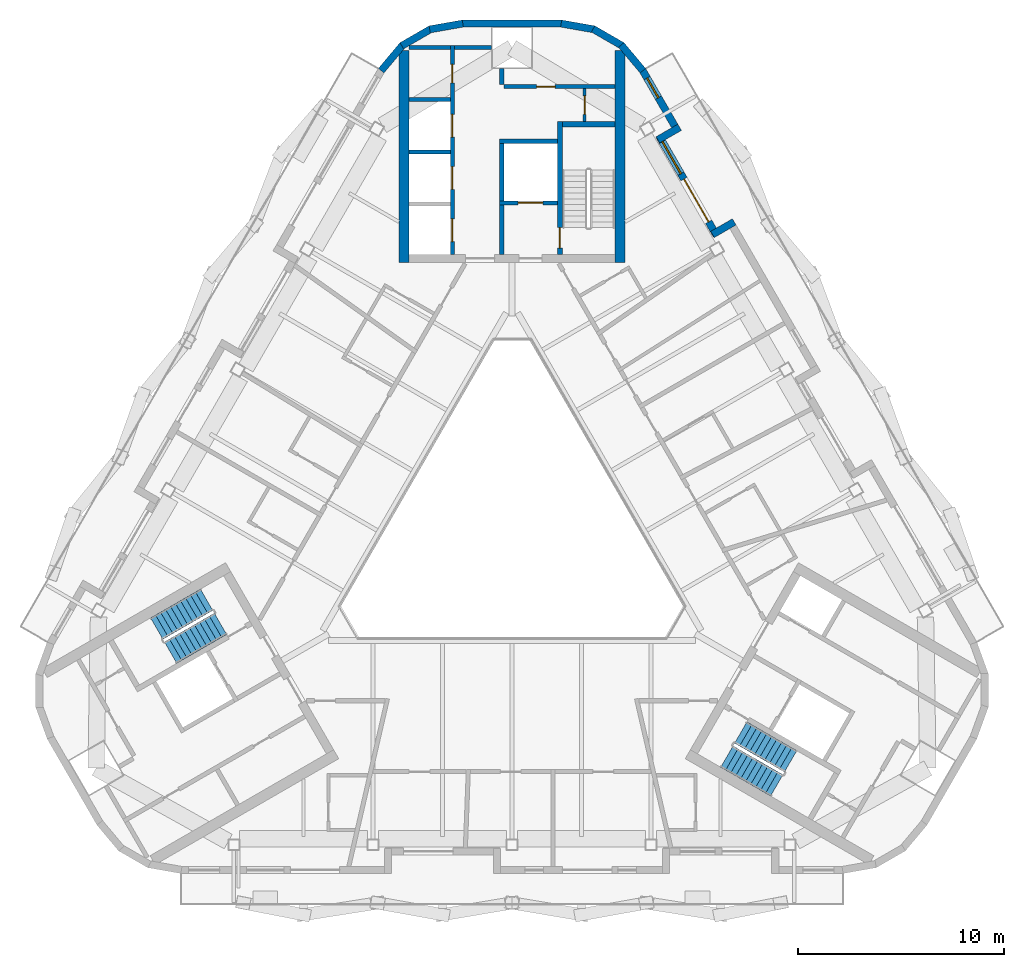
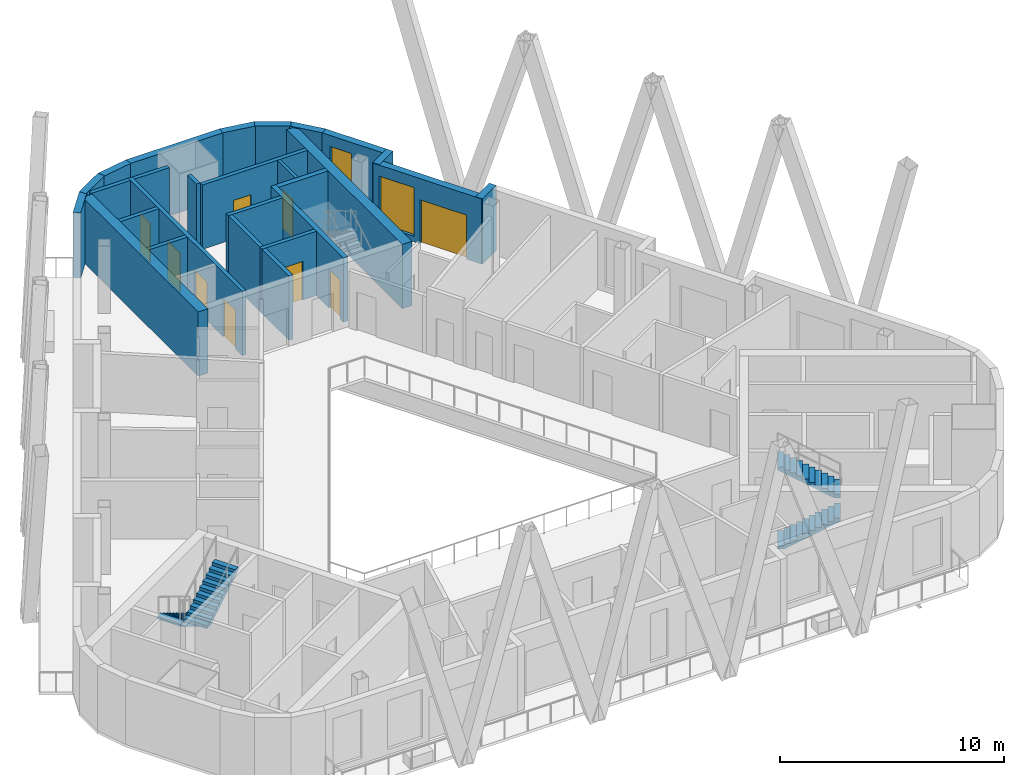
# One storey, part 7 of 12: 27 walls, 9 doors, 4 stair flights, 2 windows, 11 openings, 2 elements without a shape of their own.
"""IFC4 building model written with IfcOpenShell, lengths in metres."""

from ifc_helpers import new_model, si_unit, direction, frame, frame_2d, origin, place, context, subcontext, project, spatial, polyline, rectangle, outline, extrude, material, layer, layer_set, type_object, element, fill, aggregate, save


model = new_model("IFC4")

# Units and contexts
model_context = context("Model", 3, precision=1e-05, world=origin(), true_north=direction((0.0, 1.0)))
body_context = subcontext(model_context, "Body", "Model", "MODEL_VIEW")
ifc_project = project(units=[si_unit("LENGTHUNIT", "METRE"), si_unit("AREAUNIT", "SQUARE_METRE"), si_unit("VOLUMEUNIT", "CUBIC_METRE"), si_unit("PLANEANGLEUNIT", "RADIAN"), si_unit("MASSUNIT", "GRAM", prefix="KILO")], contexts=[model_context])

# Site, building, storey
site_placement = place(None, origin())
site = spatial("IfcSite", under=ifc_project, at=site_placement, CompositionType="ELEMENT")
building_placement = place(site_placement, origin())
building = spatial("IfcBuilding", under=site, at=building_placement, Name="Apuvela Tower Hotel", CompositionType="ELEMENT")
storey_placement = place(building_placement, frame((0.0, 0.0, 302.199951171875)))
storey = spatial("IfcBuildingStorey", under=building, at=storey_placement, Name="L75", CompositionType="ELEMENT", Elevation=302.199951171875)

# Walls
ifc_material_1 = material(Name="Concrete C50/60", Category="concrete")
ifc_layer_1 = layer(ifc_material_1, 0.5)
ifc_layer_set_1 = layer_set([ifc_layer_1], Name="COR-WALL-CORE-500")
wall_type_1 = type_object("IfcWallType", Name="COR-WALL-CORE-500", PredefinedType="SHEAR", material=ifc_layer_set_1)
for number, where, z_axis, x_axis, name in (
    (1, (5.25, 12.89990234375, 0.0), (0.0, 0.0, 1.0), (0.0, 1.0, 0.0), "Core wall N"),
    (2, (-5.25, 12.89990234375, 0.0), (0.0, 0.0, 1.0), (0.0, 1.0, 0.0), "Core wall N"),
):
    element("IfcWall", number, at=place(storey_placement, frame(where, z_axis=z_axis, x_axis=x_axis)), inside=storey, type_object=wall_type_1, Name=name, PredefinedType="SHEAR", context=body_context, shape_type="SweptSolid", body=[
        extrude(rectangle(XDim=10.298583984375, YDim=0.5, at=frame_2d((5.1494140625, 0.0))), origin(), (0.0, 0.0, 1.0), 3.5),
    ])

# Wall, opening, door
ifc_material_2 = material(Name="Blockwork 150 mm plastered", Category="masonry")
ifc_layer_2 = layer(ifc_material_2, 0.14990234375)
ifc_layer_set_2 = layer_set([ifc_layer_2], Name="COR-WALL-PART-150")
wall_type_2 = type_object("IfcWallType", Name="COR-WALL-PART-150", PredefinedType="PARTITIONING", material=ifc_layer_set_2)
wall_1_placement = place(storey_placement, frame((3.52490234375, 19.75, 0.0), z_axis=(0.0, 0.0, 1.0), x_axis=(0.0, 1.0, 0.0)))
wall_1 = element("IfcWall", 3, at=wall_1_placement, inside=storey, type_object=wall_type_2, Name="Partition N", PredefinedType="PARTITIONING", context=body_context, shape_type="SweptSolid", body=[
    extrude(rectangle(XDim=1.60009765625, YDim=0.14990234375, at=frame_2d((0.800048828125, 0.0))), origin(), (0.0, 0.0, 1.0), 3.5),
])
opening_1_placement = place(wall_1_placement, frame((0.35009765625, 0.0, 0.0)))
opening_1 = element("IfcOpeningElement", 4, at=opening_1_placement, cuts=wall_1, Name="Opening N-RD", PredefinedType="OPENING", context=body_context, shape_type="SweptSolid", body=[
    extrude(rectangle(XDim=0.89990234375, YDim=2.10009765625, at=frame_2d((0.449951171875, 1.050048828125))), frame((0.0, 0.0849609375, 0.0), z_axis=(0.0, -1.0, 0.0), x_axis=(1.0, 0.0, 0.0)), (0.0, 0.0, 1.0), 0.169921875),
])
ifc_material_3 = material(Name="Steel access door, powder coated", Category="steel")
door_type_1 = type_object("IfcDoorType", Name="COR-RD-900", OperationType="NOTDEFINED", PredefinedType="DOOR", material=ifc_material_3)
door_1_placement = place(opening_1_placement, frame((0.89990234375, 0.0, 0.0), z_axis=(0.0, 0.0, 1.0), x_axis=(-1.0, 0.0, 0.0)))
door_1 = element("IfcDoor", 5, at=door_1_placement, inside=storey, type_object=door_type_1, Name="Riser door N-RD", OperationType="SINGLE_SWING_RIGHT", OverallHeight=2.10009765625, OverallWidth=0.89990234375, PredefinedType="DOOR", context=body_context, shape_type="SweptSolid", body=[
    extrude(rectangle(XDim=0.89990234375, YDim=2.10009765625, at=frame_2d((0.449951171875, 1.050048828125))), frame((0.0, 0.02490234375, 0.0), z_axis=(0.0, -1.0, 0.0), x_axis=(1.0, 0.0, 0.0)), (0.0, 0.0, 1.0), 0.050048828125),
])
fill(opening_1, door_1)

ifc_material_4 = material(Name="Blockwork 200 mm plastered", Category="masonry")
ifc_layer_3 = layer(ifc_material_4, 0.199951171875)
ifc_layer_set_3 = layer_set([ifc_layer_3], Name="COR-WALL-PART-200")
wall_type_3 = type_object("IfcWallType", Name="COR-WALL-PART-200", PredefinedType="PARTITIONING", material=ifc_layer_set_3)
wall_2_placement = place(storey_placement, frame((5.0, 21.449951171875, 0.0), z_axis=(0.0, 0.0, 1.0), x_axis=(-1.0, 0.0, 0.0)))
wall_2 = element("IfcWall", 6, at=wall_2_placement, inside=storey, type_object=wall_type_3, Name="Partition N", PredefinedType="PARTITIONING", context=body_context, shape_type="SweptSolid", body=[
    extrude(rectangle(XDim=5.39990234375, YDim=0.199951171875, at=frame_2d((2.699951171875, 0.0))), origin(), (0.0, 0.0, 1.0), 3.5),
])
opening_2_placement = place(wall_2_placement, frame((2.89990234375, 0.0, 0.0)))
opening_2 = element("IfcOpeningElement", 7, at=opening_2_placement, cuts=wall_2, Name="Opening N-RS1", PredefinedType="OPENING", context=body_context, shape_type="SweptSolid", body=[
    extrude(rectangle(XDim=0.89990234375, YDim=2.10009765625, at=frame_2d((0.449951171875, 1.050048828125))), frame((0.0, 0.10986328125, 0.0), z_axis=(0.0, -1.0, 0.0), x_axis=(1.0, 0.0, 0.0)), (0.0, 0.0, 1.0), 0.219970703125),
])
ifc_material_5 = material(Name="Steel fire door, powder coated", Category="steel")
door_type_2 = type_object("IfcDoorType", Name="COR-DR-900", OperationType="NOTDEFINED", PredefinedType="DOOR", material=ifc_material_5)
door_2_placement = place(opening_2_placement, frame((0.89990234375, 0.0, 0.0), z_axis=(0.0, 0.0, 1.0), x_axis=(-1.0, 0.0, 0.0)))
door_2 = element("IfcDoor", 8, at=door_2_placement, inside=storey, type_object=door_type_2, Name="Store door N-RS1", OperationType="SINGLE_SWING_LEFT", OverallHeight=2.10009765625, OverallWidth=0.89990234375, PredefinedType="DOOR", context=body_context, shape_type="SweptSolid", body=[
    extrude(rectangle(XDim=0.89990234375, YDim=2.10009765625, at=frame_2d((0.449951171875, 1.050048828125))), frame((0.0, 0.02490234375, 0.0), z_axis=(0.0, -1.0, 0.0), x_axis=(1.0, 0.0, 0.0)), (0.0, 0.0, 1.0), 0.050048828125),
])
fill(opening_2, door_2)

# Wall
ifc_layer_4 = layer(ifc_material_1, 0.199951171875)
ifc_layer_set_4 = layer_set([ifc_layer_4], Name="COR-WALL-SHAFT-200")
wall_type_4 = type_object("IfcWallType", Name="COR-WALL-SHAFT-200", PredefinedType="SHEAR", material=ifc_layer_set_4)
wall_3_placement = place(storey_placement, frame((2.199951171875, 18.800048828125, 0.0), z_axis=(0.0, 0.0, 1.0), x_axis=(-1.0, 0.0, 0.0)))
element("IfcWall", 9, at=wall_3_placement, inside=storey, type_object=wall_type_4, Name="Shaft wall N", PredefinedType="SHEAR", context=body_context, shape_type="SweptSolid", body=[
    extrude(rectangle(XDim=2.800048828125, YDim=0.199951171875, at=frame_2d((1.39990234375, 0.0))), origin(), (0.0, 0.0, 1.0), 3.5),
])

# Wall, opening, door
wall_4_placement = place(storey_placement, frame((2.199951171875, 15.800048828125, 0.0), z_axis=(0.0, 0.0, 1.0), x_axis=(-1.0, 0.0, 0.0)))
wall_4 = element("IfcWall", 10, at=wall_4_placement, inside=storey, type_object=wall_type_4, Name="Shaft wall N", PredefinedType="SHEAR", context=body_context, shape_type="SweptSolid", body=[
    extrude(rectangle(XDim=2.800048828125, YDim=0.199951171875, at=frame_2d((1.39990234375, 0.0))), origin(), (0.0, 0.0, 1.0), 3.5),
])
opening_3_placement = place(wall_4_placement, frame((0.699951171875, 0.0, 0.0)))
opening_3 = element("IfcOpeningElement", 11, at=opening_3_placement, cuts=wall_4, Name="Opening N-LD-FS1", PredefinedType="OPENING", context=body_context, shape_type="SweptSolid", body=[
    extrude(rectangle(XDim=1.199951171875, YDim=2.10009765625, at=frame_2d((0.60009765625, 1.050048828125))), frame((0.0, 0.10986328125, 0.0), z_axis=(0.0, -1.0, 0.0), x_axis=(1.0, 0.0, 0.0)), (0.0, 0.0, 1.0), 0.219970703125),
])
ifc_material_6 = material(Name="Stainless steel lift landing door", Category="steel")
door_type_3 = type_object("IfcDoorType", Name="COR-LD-1200", OperationType="DOUBLE_DOOR_SLIDING", PredefinedType="DOOR", material=ifc_material_6)
door_3_placement = place(opening_3_placement, origin())
door_3 = element("IfcDoor", 12, at=door_3_placement, inside=storey, type_object=door_type_3, Name="Lift landing door N-LD-FS1", OperationType="DOUBLE_DOOR_SLIDING", OverallHeight=2.10009765625, OverallWidth=1.199951171875, PredefinedType="DOOR", context=body_context, shape_type="SweptSolid", body=[
    extrude(rectangle(XDim=1.199951171875, YDim=2.10009765625, at=frame_2d((0.60009765625, 1.050048828125))), frame((0.0, 0.02490234375, 0.0), z_axis=(0.0, -1.0, 0.0), x_axis=(1.0, 0.0, 0.0)), (0.0, 0.0, 1.0), 0.050048828125),
])
fill(opening_3, door_3)

# Walls
wall_5_placement = place(storey_placement, frame((-0.5, 15.89990234375, 0.0), z_axis=(0.0, 0.0, 1.0), x_axis=(0.0, 1.0, 0.0)))
element("IfcWall", 13, at=wall_5_placement, inside=storey, type_object=wall_type_4, Name="Shaft wall N", PredefinedType="SHEAR", context=body_context, shape_type="SweptSolid", body=[
    extrude(rectangle(XDim=2.800048828125, YDim=0.199951171875, at=frame_2d((1.39990234375, 0.0))), origin(), (0.0, 0.0, 1.0), 3.5),
])
wall_6_placement = place(storey_placement, frame((-0.5, 13.300048828125, 0.0), z_axis=(0.0, 0.0, 1.0), x_axis=(0.0, 1.0, 0.0)))
element("IfcWall", 14, at=wall_6_placement, inside=storey, type_object=wall_type_4, Name="Shaft wall N", PredefinedType="SHEAR", context=body_context, shape_type="SweptSolid", body=[
    extrude(rectangle(XDim=2.39990234375, YDim=0.199951171875, at=frame_2d((1.199951171875, 0.0))), origin(), (0.0, 0.0, 1.0), 3.5),
])

# Wall, openings, doors
wall_7_placement = place(storey_placement, frame((-2.89990234375, 13.300048828125, 0.0), z_axis=(0.0, 0.0, 1.0), x_axis=(0.0, 1.0, 0.0)))
wall_7 = element("IfcWall", 15, at=wall_7_placement, inside=storey, type_object=wall_type_4, Name="Shaft wall N", PredefinedType="SHEAR", context=body_context, shape_type="SweptSolid", body=[
    extrude(rectangle(XDim=10.159912109375, YDim=0.199951171875, at=frame_2d((5.080078125, 0.0))), origin(), (0.0, 0.0, 1.0), 3.5),
])
opening_4_placement = place(wall_7_placement, frame((0.6201171875, 0.0, 0.0)))
opening_4 = element("IfcOpeningElement", 16, at=opening_4_placement, cuts=wall_7, Name="Opening N-LD-HR1", PredefinedType="OPENING", context=body_context, shape_type="SweptSolid", body=[
    extrude(rectangle(XDim=1.10009765625, YDim=2.10009765625, at=frame_2d((0.550048828125, 1.050048828125))), frame((0.0, 0.10986328125, 0.0), z_axis=(0.0, -1.0, 0.0), x_axis=(1.0, 0.0, 0.0)), (0.0, 0.0, 1.0), 0.219970703125),
])
opening_5_placement = place(wall_7_placement, frame((3.159912109375, 0.0, 0.0)))
opening_5 = element("IfcOpeningElement", 17, at=opening_5_placement, cuts=wall_7, Name="Opening N-LD-HR2", PredefinedType="OPENING", context=body_context, shape_type="SweptSolid", body=[
    extrude(rectangle(XDim=1.10009765625, YDim=2.10009765625, at=frame_2d((0.550048828125, 1.050048828125))), frame((0.0, 0.10986328125, 0.0), z_axis=(0.0, -1.0, 0.0), x_axis=(1.0, 0.0, 0.0)), (0.0, 0.0, 1.0), 0.219970703125),
])
opening_6_placement = place(wall_7_placement, frame((5.699951171875, 0.0, 0.0)))
opening_6 = element("IfcOpeningElement", 18, at=opening_6_placement, cuts=wall_7, Name="Opening N-LD-HR4", PredefinedType="OPENING", context=body_context, shape_type="SweptSolid", body=[
    extrude(rectangle(XDim=1.10009765625, YDim=2.10009765625, at=frame_2d((0.550048828125, 1.050048828125))), frame((0.0, 0.10986328125, 0.0), z_axis=(0.0, -1.0, 0.0), x_axis=(1.0, 0.0, 0.0)), (0.0, 0.0, 1.0), 0.219970703125),
])
opening_7_placement = place(wall_7_placement, frame((8.340087890625, 0.0, 0.0)))
opening_7 = element("IfcOpeningElement", 19, at=opening_7_placement, cuts=wall_7, Name="Opening N-RE4", PredefinedType="OPENING", context=body_context, shape_type="SweptSolid", body=[
    extrude(rectangle(XDim=0.89990234375, YDim=2.10009765625, at=frame_2d((0.449951171875, 1.050048828125))), frame((0.0, 0.10986328125, 0.0), z_axis=(0.0, -1.0, 0.0), x_axis=(1.0, 0.0, 0.0)), (0.0, 0.0, 1.0), 0.219970703125),
])
door_4_placement = place(opening_7_placement, origin())
door_4 = element("IfcDoor", 20, at=door_4_placement, inside=storey, type_object=door_type_2, Name="Store door N-RE4", OperationType="SINGLE_SWING_LEFT", OverallHeight=2.10009765625, OverallWidth=0.89990234375, PredefinedType="DOOR", context=body_context, shape_type="SweptSolid", body=[
    extrude(rectangle(XDim=0.89990234375, YDim=2.10009765625, at=frame_2d((0.449951171875, 1.050048828125))), frame((0.0, 0.02490234375, 0.0), z_axis=(0.0, -1.0, 0.0), x_axis=(1.0, 0.0, 0.0)), (0.0, 0.0, 1.0), 0.050048828125),
])
fill(opening_7, door_4)
door_type_4 = type_object("IfcDoorType", Name="COR-LD-1100", OperationType="DOUBLE_DOOR_SLIDING", PredefinedType="DOOR", material=ifc_material_6)
door_5_placement = place(opening_4_placement, origin())
door_5 = element("IfcDoor", 21, at=door_5_placement, inside=storey, type_object=door_type_4, Name="Lift landing door N-LD-HR1", OperationType="DOUBLE_DOOR_SLIDING", OverallHeight=2.10009765625, OverallWidth=1.10009765625, PredefinedType="DOOR", context=body_context, shape_type="SweptSolid", body=[
    extrude(rectangle(XDim=1.10009765625, YDim=2.10009765625, at=frame_2d((0.550048828125, 1.050048828125))), frame((0.0, 0.02490234375, 0.0), z_axis=(0.0, -1.0, 0.0), x_axis=(1.0, 0.0, 0.0)), (0.0, 0.0, 1.0), 0.050048828125),
])
fill(opening_4, door_5)
door_6_placement = place(opening_5_placement, origin())
door_6 = element("IfcDoor", 22, at=door_6_placement, inside=storey, type_object=door_type_4, Name="Lift landing door N-LD-HR2", OperationType="DOUBLE_DOOR_SLIDING", OverallHeight=2.10009765625, OverallWidth=1.10009765625, PredefinedType="DOOR", context=body_context, shape_type="SweptSolid", body=[
    extrude(rectangle(XDim=1.10009765625, YDim=2.10009765625, at=frame_2d((0.550048828125, 1.050048828125))), frame((0.0, 0.02490234375, 0.0), z_axis=(0.0, -1.0, 0.0), x_axis=(1.0, 0.0, 0.0)), (0.0, 0.0, 1.0), 0.050048828125),
])
fill(opening_5, door_6)
door_7_placement = place(opening_6_placement, origin())
door_7 = element("IfcDoor", 23, at=door_7_placement, inside=storey, type_object=door_type_4, Name="Lift landing door N-LD-HR4", OperationType="DOUBLE_DOOR_SLIDING", OverallHeight=2.10009765625, OverallWidth=1.10009765625, PredefinedType="DOOR", context=body_context, shape_type="SweptSolid", body=[
    extrude(rectangle(XDim=1.10009765625, YDim=2.10009765625, at=frame_2d((0.550048828125, 1.050048828125))), frame((0.0, 0.02490234375, 0.0), z_axis=(0.0, -1.0, 0.0), x_axis=(1.0, 0.0, 0.0)), (0.0, 0.0, 1.0), 0.050048828125),
])
fill(opening_6, door_7)

# Walls
wall_8_placement = place(storey_placement, frame((-1.0, 23.360107421875, 0.0), z_axis=(0.0, 0.0, 1.0), x_axis=(-1.0, 0.0, 0.0)))
element("IfcWall", 24, at=wall_8_placement, inside=storey, type_object=wall_type_4, Name="Shaft wall N", PredefinedType="SHEAR", context=body_context, shape_type="SweptSolid", body=[
    extrude(rectangle(XDim=1.800048828125, YDim=0.199951171875, at=frame_2d((0.89990234375, 0.0))), origin(), (0.0, 0.0, 1.0), 3.5),
])
wall_9_placement = place(storey_placement, frame((-0.5, 21.550048828125, 0.0), z_axis=(0.0, 0.0, 1.0), x_axis=(0.0, 1.0, 0.0)))
element("IfcWall", 25, at=wall_9_placement, inside=storey, type_object=wall_type_4, Name="Shaft wall N", PredefinedType="SHEAR", context=body_context, shape_type="SweptSolid", body=[
    extrude(rectangle(XDim=0.791259765625, YDim=0.199951171875, at=frame_2d((0.3955078125, 0.0))), origin(), (0.0, 0.0, 1.0), 3.5),
])
for number, where, z_axis, x_axis, name in (
    (26, (-3.0, 18.280029296875, 0.0), (0.0, 0.0, 1.0), (-1.0, 0.0, 0.0), "Shaft wall N"),
    (27, (-3.0, 20.820068359375, 0.0), (0.0, 0.0, 1.0), (-1.0, 0.0, 0.0), "Shaft wall N"),
    (28, (-3.0, 23.360107421875, 0.0), (0.0, 0.0, 1.0), (-1.0, 0.0, 0.0), "Shaft wall N"),
):
    element("IfcWall", number, at=place(storey_placement, frame(where, z_axis=z_axis, x_axis=x_axis)), inside=storey, type_object=wall_type_4, Name=name, PredefinedType="SHEAR", context=body_context, shape_type="SweptSolid", body=[
        extrude(rectangle(XDim=2.0, YDim=0.199951171875, at=frame_2d((1.0, 0.0))), origin(), (0.0, 0.0, 1.0), 3.5),
    ])

# Wall, opening, door
ifc_layer_5 = layer(ifc_material_1, 0.25)
ifc_layer_set_5 = layer_set([ifc_layer_5], Name="COR-WALL-STAIR-250")
wall_type_5 = type_object("IfcWallType", Name="COR-WALL-STAIR-250", PredefinedType="SHEAR", material=ifc_layer_set_5)
wall_10_placement = place(storey_placement, frame((2.324951171875, 13.300048828125, 0.0), z_axis=(0.0, 0.0, 1.0), x_axis=(0.0, 1.0, 0.0)))
wall_10 = element("IfcWall", 29, at=wall_10_placement, inside=storey, type_object=wall_type_5, Name="Stair wall N", PredefinedType="SHEAR", context=body_context, shape_type="SweptSolid", body=[
    extrude(rectangle(XDim=6.449951171875, YDim=0.25, at=frame_2d((3.22509765625, 0.0))), origin(), (0.0, 0.0, 1.0), 3.5),
])
opening_8_placement = place(wall_10_placement, frame((0.300048828125, 0.0, 0.0)))
opening_8 = element("IfcOpeningElement", 30, at=opening_8_placement, cuts=wall_10, Name="Opening N-SD", PredefinedType="OPENING", context=body_context, shape_type="SweptSolid", body=[
    extrude(rectangle(XDim=1.0, YDim=2.10009765625, at=frame_2d((0.5, 1.050048828125))), frame((0.0, 0.135009765625, 0.0), z_axis=(0.0, -1.0, 0.0), x_axis=(1.0, 0.0, 0.0)), (0.0, 0.0, 1.0), 0.27001953125),
])
door_type_5 = type_object("IfcDoorType", Name="COR-SD-1000", OperationType="NOTDEFINED", PredefinedType="DOOR", material=ifc_material_5)
door_8_placement = place(opening_8_placement, frame((1.0, 0.0, 0.0), z_axis=(0.0, 0.0, 1.0), x_axis=(-1.0, 0.0, 0.0)))
door_8 = element("IfcDoor", 31, at=door_8_placement, inside=storey, type_object=door_type_5, Name="Stair door N-SD", OperationType="SINGLE_SWING_LEFT", OverallHeight=2.10009765625, OverallWidth=1.0, PredefinedType="DOOR", context=body_context, shape_type="SweptSolid", body=[
    extrude(rectangle(XDim=1.0, YDim=2.10009765625, at=frame_2d((0.5, 1.050048828125))), frame((0.0, 0.02490234375, 0.0), z_axis=(0.0, -1.0, 0.0), x_axis=(1.0, 0.0, 0.0)), (0.0, 0.0, 1.0), 0.050048828125),
])
fill(opening_8, door_8)

# Walls
wall_11_placement = place(storey_placement, frame((5.0, 19.625, 0.0), z_axis=(0.0, 0.0, 1.0), x_axis=(-1.0, 0.0, 0.0)))
element("IfcWall", 32, at=wall_11_placement, inside=storey, type_object=wall_type_5, Name="Stair wall N", PredefinedType="SHEAR", context=body_context, shape_type="SweptSolid", body=[
    extrude(rectangle(XDim=2.550048828125, YDim=0.25, at=frame_2d((1.27490234375, 0.0))), origin(), (0.0, 0.0, 1.0), 3.5),
])
ifc_material_7 = material(Name="Concrete C40/50, dark pigmented precast panel", Category="concrete")
ifc_layer_6 = layer(ifc_material_7, 0.35009765625)
ifc_layer_set_6 = layer_set([ifc_layer_6], Name="ENV-WALL-350")
wall_type_6 = type_object("IfcWallType", Name="ENV-WALL-350", PredefinedType="SOLIDWALL", material=ifc_layer_set_6)
wall_12_placement = place(storey_placement, frame((10.802490234375, 14.878662109375, 0.0), z_axis=(0.0, 0.0, 1.0), x_axis=(-0.866005645448, -0.500034220881, 0.0)))
element("IfcWall", 33, at=wall_12_placement, inside=storey, type_object=wall_type_6, Name="External wall L75-38", PredefinedType="SOLIDWALL", context=body_context, shape_type="SweptSolid", body=[
    extrude(rectangle(XDim=1.22021484375, YDim=0.35009765625, at=frame_2d((0.610107421875, 0.0))), origin(), (0.0, 0.0, 1.0), 3.550048828125),
])

# Wall, openings, door, window
wall_13_placement = place(storey_placement, frame((9.944091796875, 14.215576171875, 0.0), z_axis=(0.0, 0.0, 1.0), x_axis=(-0.500026936782, 0.866009851268, 0.0)))
wall_13 = element("IfcWall", 34, at=wall_13_placement, inside=storey, type_object=wall_type_6, Name="External wall L75-39", PredefinedType="SOLIDWALL", context=body_context, shape_type="SweptSolid", body=[
    extrude(rectangle(XDim=5.598876953125, YDim=0.35009765625, at=frame_2d((2.79931640625, 0.0))), origin(), (0.0, 0.0, 1.0), 3.550048828125),
])
opening_9_placement = place(wall_13_placement, frame((0.77001953125, 0.0, 0.0)))
opening_9 = element("IfcOpeningElement", 35, at=opening_9_placement, cuts=wall_13, Name="Opening BD24", PredefinedType="OPENING", context=body_context, shape_type="SweptSolid", body=[
    extrude(rectangle(XDim=2.39990234375, YDim=2.39990234375, at=frame_2d((1.199951171875, 1.199951171875))), frame((0.0, 0.18505859375, 0.0), z_axis=(0.0, -1.0, 0.0), x_axis=(1.0, 0.0, 0.0)), (0.0, 0.0, 1.0), 0.3701171875),
])
opening_10_placement = place(wall_13_placement, frame((3.469970703125, 0.0, 0.300048828125)))
opening_10 = element("IfcOpeningElement", 36, at=opening_10_placement, cuts=wall_13, Name="Opening WN18", PredefinedType="OPENING", context=body_context, shape_type="SweptSolid", body=[
    extrude(rectangle(XDim=1.800048828125, YDim=2.64990234375, at=frame_2d((0.89990234375, 1.324951171875))), frame((0.0, 0.18505859375, 0.0), z_axis=(0.0, -1.0, 0.0), x_axis=(1.0, 0.0, 0.0)), (0.0, 0.0, 1.0), 0.3701171875),
])
ifc_material_8 = material(Name="Aluminium 6063-T6, dark bronze anodised frame with dark tinted laminated glass", Category="aluminium")
door_type_6 = type_object("IfcDoorType", Name="ENV-DOOR-BALCONY-2400x2400", OperationType="SLIDING_TO_LEFT", PredefinedType="DOOR", material=ifc_material_8)
door_9_placement = place(opening_9_placement, frame((2.39990234375, 0.0, 0.0), z_axis=(0.0, 0.0, 1.0), x_axis=(-1.0, 0.0, 0.0)))
door_9 = element("IfcDoor", 37, at=door_9_placement, inside=storey, type_object=door_type_6, Name="Balcony door BD24", OperationType="SLIDING_TO_LEFT", OverallHeight=2.39990234375, OverallWidth=2.39990234375, PredefinedType="DOOR", context=body_context, shape_type="SweptSolid", body=[
    extrude(rectangle(XDim=2.39990234375, YDim=2.39990234375, at=frame_2d((1.199951171875, 1.199951171875))), frame((0.0, 0.02490234375, 0.0), z_axis=(0.0, -1.0, 0.0), x_axis=(1.0, 0.0, 0.0)), (0.0, 0.0, 1.0), 0.050048828125),
])
fill(opening_9, door_9)
ifc_material_9 = material(Name="Glass, dark tinted laminated insulated glazing unit", Category="glass")
window_type_1 = type_object("IfcWindowType", Name="ENV-WIN-1800x2650", PartitioningType="SINGLE_PANEL", PredefinedType="WINDOW", material=ifc_material_9)
window_1_placement = place(opening_10_placement, origin())
window_1 = element("IfcWindow", 38, at=window_1_placement, inside=storey, type_object=window_type_1, Name="Window WN18", OverallHeight=2.64990234375, OverallWidth=1.800048828125, PartitioningType="SINGLE_PANEL", PredefinedType="WINDOW", context=body_context, shape_type="SweptSolid", body=[
    extrude(rectangle(XDim=1.800048828125, YDim=2.64990234375, at=frame_2d((0.89990234375, 1.324951171875))), frame((0.0, 0.030029296875, 0.0), z_axis=(0.0, -1.0, 0.0), x_axis=(1.0, 0.0, 0.0)), (0.0, 0.0, 1.0), 0.06005859375),
])
fill(opening_10, window_1)

# Wall
wall_14_placement = place(storey_placement, frame((7.091552734375, 18.8662109375, 0.0), z_axis=(0.0, 0.0, 1.0), x_axis=(0.866005645448, 0.500034220881, 0.0)))
element("IfcWall", 39, at=wall_14_placement, inside=storey, type_object=wall_type_6, Name="External wall L75-40", PredefinedType="SOLIDWALL", context=body_context, shape_type="SweptSolid", body=[
    extrude(rectangle(XDim=1.22021484375, YDim=0.35009765625, at=frame_2d((0.610107421875, 0.0))), origin(), (0.0, 0.0, 1.0), 3.550048828125),
])

# Wall, opening, window
wall_15_placement = place(storey_placement, frame((8.083984375, 19.237060546875, 0.0), z_axis=(0.0, 0.0, 1.0), x_axis=(-0.499949154193, 0.866054757635, 0.0)))
wall_15 = element("IfcWall", 40, at=wall_15_placement, inside=storey, type_object=wall_type_6, Name="External wall L75-41", PredefinedType="SOLIDWALL", context=body_context, shape_type="SweptSolid", body=[
    extrude(rectangle(XDim=3.480224609375, YDim=0.35009765625, at=frame_2d((1.740234375, 0.0))), origin(), (0.0, 0.0, 1.0), 3.550048828125),
])
opening_11_placement = place(wall_15_placement, frame((1.935302734375, 0.0, 0.300048828125)))
opening_11 = element("IfcOpeningElement", 41, at=opening_11_placement, cuts=wall_15, Name="Opening WN11", PredefinedType="OPENING", context=body_context, shape_type="SweptSolid", body=[
    extrude(rectangle(XDim=1.10009765625, YDim=2.64990234375, at=frame_2d((0.550048828125, 1.324951171875))), frame((0.0, 0.18505859375, 0.0), z_axis=(0.0, -1.0, 0.0), x_axis=(1.0, 0.0, 0.0)), (0.0, 0.0, 1.0), 0.3701171875),
])
window_type_2 = type_object("IfcWindowType", Name="ENV-WIN-1100x2650", PartitioningType="SINGLE_PANEL", PredefinedType="WINDOW", material=ifc_material_9)
window_2_placement = place(opening_11_placement, origin())
window_2 = element("IfcWindow", 42, at=window_2_placement, inside=storey, type_object=window_type_2, Name="Window WN11", OverallHeight=2.64990234375, OverallWidth=1.10009765625, PartitioningType="SINGLE_PANEL", PredefinedType="WINDOW", context=body_context, shape_type="SweptSolid", body=[
    extrude(rectangle(XDim=1.10009765625, YDim=2.64990234375, at=frame_2d((0.550048828125, 1.324951171875))), frame((0.0, 0.030029296875, 0.0), z_axis=(0.0, -1.0, 0.0), x_axis=(1.0, 0.0, 0.0)), (0.0, 0.0, 1.0), 0.06005859375),
])
fill(opening_11, window_2)

# Walls
wall_16_placement = place(storey_placement, frame((6.361328125, 22.22607421875, 0.0), z_axis=(0.0, 0.0, 1.0), x_axis=(-0.642782014883, 0.766049137682, 0.0)))
element("IfcWall", 43, at=wall_16_placement, inside=storey, type_object=wall_type_6, Name="External wall L75-42", PredefinedType="SOLIDWALL", context=body_context, shape_type="SweptSolid", body=[
    extrude(rectangle(XDim=1.634033203125, YDim=0.35009765625, at=frame_2d((0.81689453125, 0.0))), origin(), (0.0, 0.0, 1.0), 3.550048828125),
])
wall_17_placement = place(storey_placement, frame((5.357666015625, 23.43896484375, 0.0), z_axis=(0.0, 0.0, 1.0), x_axis=(-0.866018903231, 0.500011259119, 0.0)))
element("IfcWall", 44, at=wall_17_placement, inside=storey, type_object=wall_type_6, Name="External wall L75-43", PredefinedType="SOLIDWALL", context=body_context, shape_type="SweptSolid", body=[
    extrude(rectangle(XDim=1.63427734375, YDim=0.35009765625, at=frame_2d((0.817138671875, 0.0))), origin(), (0.0, 0.0, 1.0), 3.550048828125),
])
wall_18_placement = place(storey_placement, frame((3.99951171875, 24.235107421875, 0.0), z_axis=(0.0, 0.0, 1.0), x_axis=(-0.984795586247, 0.173717164691, 0.0)))
element("IfcWall", 45, at=wall_18_placement, inside=storey, type_object=wall_type_6, Name="External wall L75-44", PredefinedType="SOLIDWALL", context=body_context, shape_type="SweptSolid", body=[
    extrude(rectangle(XDim=1.634521484375, YDim=0.35009765625, at=frame_2d((0.8173828125, 0.0))), origin(), (0.0, 0.0, 1.0), 3.550048828125),
])
wall_19_placement = place(storey_placement, frame((2.42041015625, 24.516357421875, 0.0), z_axis=(0.0, 0.0, 1.0), x_axis=(-1.0, 0.0, 0.0)))
element("IfcWall", 46, at=wall_19_placement, inside=storey, type_object=wall_type_6, Name="External wall L75-45", PredefinedType="SOLIDWALL", context=body_context, shape_type="SweptSolid", body=[
    extrude(rectangle(XDim=4.8408203125, YDim=0.35009765625, at=frame_2d((2.42041015625, 0.0))), origin(), (0.0, 0.0, 1.0), 3.550048828125),
])
wall_20_placement = place(storey_placement, frame((-2.389892578125, 24.51904296875, 0.0), z_axis=(0.0, 0.0, 1.0), x_axis=(-0.984795586247, -0.173717164691, 0.0)))
element("IfcWall", 47, at=wall_20_placement, inside=storey, type_object=wall_type_6, Name="External wall L75-46", PredefinedType="SOLIDWALL", context=body_context, shape_type="SweptSolid", body=[
    extrude(rectangle(XDim=1.634521484375, YDim=0.35009765625, at=frame_2d((0.8173828125, 0.0))), origin(), (0.0, 0.0, 1.0), 3.550048828125),
])
wall_21_placement = place(storey_placement, frame((-3.9423828125, 24.256103515625, 0.0), z_axis=(0.0, 0.0, 1.0), x_axis=(-0.866018903231, -0.500011259119, 0.0)))
element("IfcWall", 48, at=wall_21_placement, inside=storey, type_object=wall_type_6, Name="External wall L75-47", PredefinedType="SOLIDWALL", context=body_context, shape_type="SweptSolid", body=[
    extrude(rectangle(XDim=1.63427734375, YDim=0.35009765625, at=frame_2d((0.817138671875, 0.0))), origin(), (0.0, 0.0, 1.0), 3.550048828125),
])
wall_22_placement = place(storey_placement, frame((-5.31103515625, 23.477783203125, 0.0), z_axis=(0.0, 0.0, 1.0), x_axis=(-0.642782014883, -0.766049137682, 0.0)))
element("IfcWall", 49, at=wall_22_placement, inside=storey, type_object=wall_type_6, Name="External wall L75-48", PredefinedType="SOLIDWALL", context=body_context, shape_type="SweptSolid", body=[
    extrude(rectangle(XDim=1.634033203125, YDim=0.35009765625, at=frame_2d((0.81689453125, 0.0))), origin(), (0.0, 0.0, 1.0), 3.550048828125),
])

# Stair, stair flights
stair_type = type_object("IfcStairType", Name="COR-STAIR-22R", PredefinedType="HALF_TURN_STAIR", material=ifc_material_1)
stair_1_placement = place(storey_placement, origin())
stair_1 = element("IfcStair", 50, at=stair_1_placement, inside=storey, type_object=stair_type, Name="L75 Exit stair ST2", PredefinedType="HALF_TURN_STAIR")
stair_flight_type = type_object("IfcStairFlightType", Name="COR-FLIGHT-11R", PredefinedType="STRAIGHT", material=ifc_material_1)
stair_flight_1_placement = place(storey_placement, frame((-14.843994140625, -3.489501953125, 0.0), z_axis=(0.0, 0.0, 1.0), x_axis=(-0.866025403784, -0.5, 0.0)))
stair_flight_1 = element("IfcStairFlight", 51, at=stair_flight_1_placement, type_object=stair_flight_type, Name="ST2 flight 1", NumberOfRisers=11, NumberOfTreads=10, PredefinedType="STRAIGHT", RiserHeight=0.168181818, TreadLength=0.28, context=body_context, shape_type="SweptSolid", body=[
    extrude(outline(polyline([(0.0, 0.0), (0.0, 0.168212890625), (0.280029296875, 0.168212890625), (0.280029296875, 0.33642578125), (0.56005859375, 0.33642578125), (0.56005859375, 0.504638671875), (0.840087890625, 0.504638671875), (0.840087890625, 0.672607421875), (1.1201171875, 0.672607421875), (1.1201171875, 0.8408203125), (1.39990234375, 0.8408203125), (1.39990234375, 1.009033203125), (1.679931640625, 1.009033203125), (1.679931640625, 1.17724609375), (1.9599609375, 1.17724609375), (1.9599609375, 1.345458984375), (2.239990234375, 1.345458984375), (2.239990234375, 1.513671875), (2.52001953125, 1.513671875), (2.52001953125, 1.681884765625), (2.800048828125, 1.681884765625), (2.800048828125, 1.85009765625), (2.800048828125, 1.5068359375), (0.291015625, 0.0), (0.0, 0.0)])), frame((0.0, 0.60009765625, 0.0), z_axis=(0.0, -1.0, 0.0), x_axis=(1.0, 0.0, 0.0)), (0.0, 0.0, 1.0), 1.199951171875),
])
stair_flight_2_placement = place(storey_placement, frame((-16.59375, -6.05859375, 1.85009765625), z_axis=(0.0, 0.0, 1.0), x_axis=(0.866025403784, 0.5, 0.0)))
stair_flight_2 = element("IfcStairFlight", 52, at=stair_flight_2_placement, type_object=stair_flight_type, Name="ST2 flight 2", NumberOfRisers=11, NumberOfTreads=10, PredefinedType="STRAIGHT", RiserHeight=0.168181818, TreadLength=0.28, context=body_context, shape_type="SweptSolid", body=[
    extrude(outline(polyline([(0.0, 0.0), (0.0, 0.168212890625), (0.280029296875, 0.168212890625), (0.280029296875, 0.33642578125), (0.56005859375, 0.33642578125), (0.56005859375, 0.504638671875), (0.840087890625, 0.504638671875), (0.840087890625, 0.672607421875), (1.1201171875, 0.672607421875), (1.1201171875, 0.8408203125), (1.39990234375, 0.8408203125), (1.39990234375, 1.009033203125), (1.679931640625, 1.009033203125), (1.679931640625, 1.17724609375), (1.9599609375, 1.17724609375), (1.9599609375, 1.345458984375), (2.239990234375, 1.345458984375), (2.239990234375, 1.513671875), (2.52001953125, 1.513671875), (2.52001953125, 1.681884765625), (2.800048828125, 1.681884765625), (2.800048828125, 1.85009765625), (2.800048828125, 1.5068359375), (0.291015625, 0.0), (0.0, 0.0)])), frame((0.0, 0.60009765625, 0.0), z_axis=(0.0, -1.0, 0.0), x_axis=(1.0, 0.0, 0.0)), (0.0, 0.0, 1.0), 1.199951171875),
])
aggregate(stair_1, [stair_flight_1, stair_flight_2])

stair_2_placement = place(storey_placement, origin())
stair_2 = element("IfcStair", 53, at=stair_2_placement, inside=storey, type_object=stair_type, Name="L75 Exit stair ST3", PredefinedType="HALF_TURN_STAIR")
stair_flight_3_placement = place(storey_placement, frame((10.444091796875, -11.110595703125, 0.0), z_axis=(0.0, 0.0, 1.0), x_axis=(0.866025403784, -0.5, 0.0)))
stair_flight_3 = element("IfcStairFlight", 54, at=stair_flight_3_placement, type_object=stair_flight_type, Name="ST3 flight 1", NumberOfRisers=11, NumberOfTreads=10, PredefinedType="STRAIGHT", RiserHeight=0.168181818, TreadLength=0.28, context=body_context, shape_type="SweptSolid", body=[
    extrude(outline(polyline([(0.0, 0.0), (0.0, 0.168212890625), (0.280029296875, 0.168212890625), (0.280029296875, 0.33642578125), (0.56005859375, 0.33642578125), (0.56005859375, 0.504638671875), (0.840087890625, 0.504638671875), (0.840087890625, 0.672607421875), (1.1201171875, 0.672607421875), (1.1201171875, 0.8408203125), (1.39990234375, 0.8408203125), (1.39990234375, 1.009033203125), (1.679931640625, 1.009033203125), (1.679931640625, 1.17724609375), (1.9599609375, 1.17724609375), (1.9599609375, 1.345458984375), (2.239990234375, 1.345458984375), (2.239990234375, 1.513671875), (2.52001953125, 1.513671875), (2.52001953125, 1.681884765625), (2.800048828125, 1.681884765625), (2.800048828125, 1.85009765625), (2.800048828125, 1.5068359375), (0.291015625, 0.0), (0.0, 0.0)])), frame((0.0, 0.60009765625, 0.0), z_axis=(0.0, -1.0, 0.0), x_axis=(1.0, 0.0, 0.0)), (0.0, 0.0, 1.0), 1.199951171875),
])
stair_flight_4_placement = place(storey_placement, frame((13.5439453125, -11.34130859375, 1.85009765625), z_axis=(0.0, 0.0, 1.0), x_axis=(-0.866025403784, 0.5, 0.0)))
stair_flight_4 = element("IfcStairFlight", 55, at=stair_flight_4_placement, type_object=stair_flight_type, Name="ST3 flight 2", NumberOfRisers=11, NumberOfTreads=10, PredefinedType="STRAIGHT", RiserHeight=0.168181818, TreadLength=0.28, context=body_context, shape_type="SweptSolid", body=[
    extrude(outline(polyline([(0.0, 0.0), (0.0, 0.168212890625), (0.280029296875, 0.168212890625), (0.280029296875, 0.33642578125), (0.56005859375, 0.33642578125), (0.56005859375, 0.504638671875), (0.840087890625, 0.504638671875), (0.840087890625, 0.672607421875), (1.1201171875, 0.672607421875), (1.1201171875, 0.8408203125), (1.39990234375, 0.8408203125), (1.39990234375, 1.009033203125), (1.679931640625, 1.009033203125), (1.679931640625, 1.17724609375), (1.9599609375, 1.17724609375), (1.9599609375, 1.345458984375), (2.239990234375, 1.345458984375), (2.239990234375, 1.513671875), (2.52001953125, 1.513671875), (2.52001953125, 1.681884765625), (2.800048828125, 1.681884765625), (2.800048828125, 1.85009765625), (2.800048828125, 1.5068359375), (0.291015625, 0.0), (0.0, 0.0)])), frame((0.0, 0.60009765625, 0.0), z_axis=(0.0, -1.0, 0.0), x_axis=(1.0, 0.0, 0.0)), (0.0, 0.0, 1.0), 1.199951171875),
])
aggregate(stair_2, [stair_flight_3, stair_flight_4])

save(model, "model.ifc")
